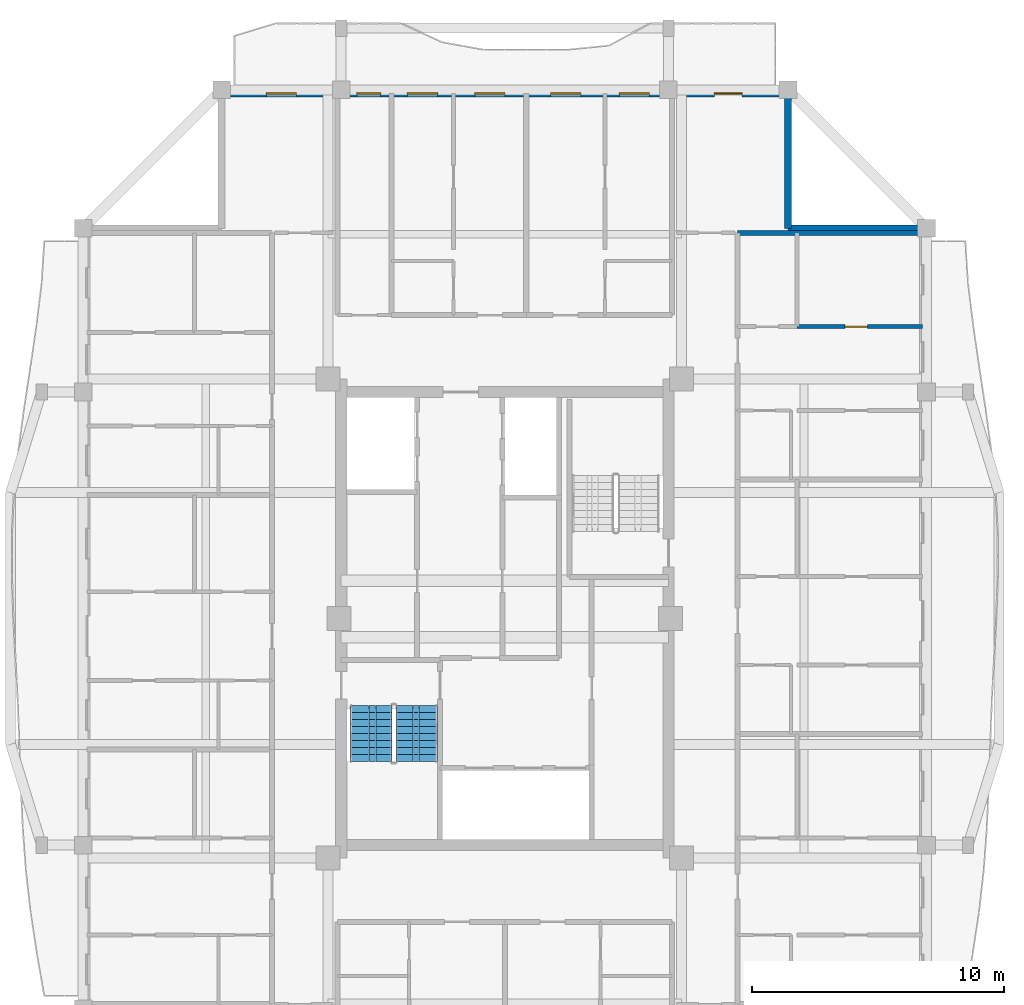
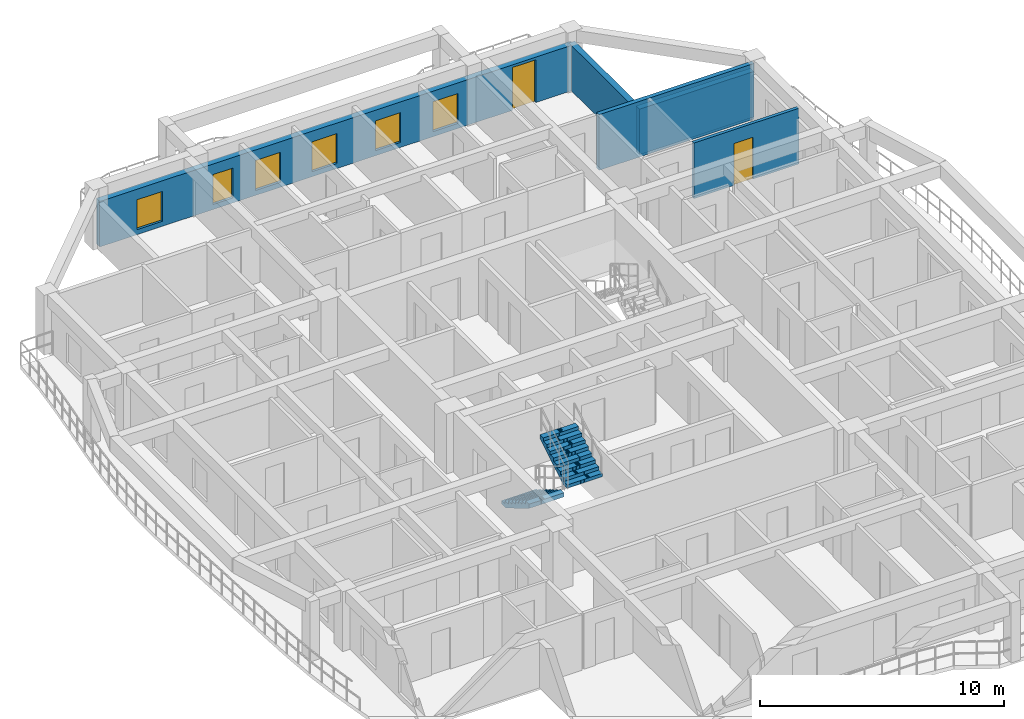
# One storey, part 7 of 13: 6 windows, 5 walls, 2 doors, 2 stair flights, 8 openings, 1 element without a shape of its own.
"""IFC4 building model written with IfcOpenShell, lengths in metres."""

from ifc_helpers import new_model, si_unit, direction, frame, frame_2d, origin, place, context, subcontext, project, spatial, polyline, rectangle, outline, extrude, source, transform, mapped, material, layer, layer_set, type_object, element, fill, aggregate, save


model = new_model("IFC4")

# Units and contexts
model_context = context("Model", 3, precision=1e-05, world=origin(), true_north=direction((0.0, 1.0)))
body_context = subcontext(model_context, "Body", "Model", "MODEL_VIEW")
ifc_project = project(units=[si_unit("LENGTHUNIT", "METRE"), si_unit("AREAUNIT", "SQUARE_METRE"), si_unit("VOLUMEUNIT", "CUBIC_METRE"), si_unit("PLANEANGLEUNIT", "RADIAN"), si_unit("MASSUNIT", "GRAM", prefix="KILO")], contexts=[model_context])

# Site, building, storey
site_placement = place(None, origin())
site = spatial("IfcSite", under=ifc_project, at=site_placement, CompositionType="ELEMENT")
building_placement = place(site_placement, origin())
building = spatial("IfcBuilding", under=site, at=building_placement, Name="Saelheon Loggia Tower", CompositionType="ELEMENT")
storey_placement = place(building_placement, frame((0.0, 0.0, 220.199951171875)))
storey = spatial("IfcBuildingStorey", under=building, at=storey_placement, Name="L68", CompositionType="ELEMENT", Elevation=220.199951171875)

# Wall, openings, windows, door
ifc_material_1 = material(Name="Architectural Precast Concrete C40/50", Category="concrete")
ifc_layer_1 = layer(ifc_material_1, 0.280029296875)
ifc_layer_set_1 = layer_set([ifc_layer_1], Name="Architectural Precast Concrete C40/50")
wall_type_1 = type_object("IfcWallType", Name="Wall_Ext_Loggia_280", PredefinedType="SOLIDWALL", material=ifc_layer_set_1)
wall_1_placement = place(storey_placement, frame((26.75, 47.860107421875, 0.0), z_axis=(0.0, 0.0, 1.0), x_axis=(1.0, 0.0, 0.0)))
wall_1 = element("IfcWall", 1, at=wall_1_placement, inside=storey, type_object=wall_type_1, Name="L68 North Loggia Inner Wall", PredefinedType="SOLIDWALL", context=body_context, shape_type="SweptSolid", body=[
    extrude(rectangle(XDim=22.5, YDim=0.280029296875, at=frame_2d((11.25, 0.0))), origin(), (0.0, 0.0, 1.0), 2.280029296875),
])
opening_1_placement = place(wall_1_placement, frame((1.77490234375, 0.0, 0.25)))
opening_1 = element("IfcOpeningElement", 2, at=opening_1_placement, cuts=wall_1, Name="Opening WN-03", PredefinedType="OPENING", context=body_context, shape_type="SweptSolid", body=[
    extrude(rectangle(XDim=1.199951171875, YDim=1.5, at=frame_2d((0.60009765625, 0.75))), frame((0.0, 0.152099609375, 0.0), z_axis=(0.0, -1.0, 0.0), x_axis=(1.0, 0.0, 0.0)), (0.0, 0.0, 1.0), 0.303955078125),
])
opening_2_placement = place(wall_1_placement, frame((5.3701171875, 0.0, 0.25)))
opening_2 = element("IfcOpeningElement", 3, at=opening_2_placement, cuts=wall_1, Name="Opening WN-04", PredefinedType="OPENING", context=body_context, shape_type="SweptSolid", body=[
    extrude(rectangle(XDim=0.949951171875, YDim=1.5, at=frame_2d((0.47509765625, 0.75))), frame((0.0, 0.152099609375, 0.0), z_axis=(0.0, -1.0, 0.0), x_axis=(1.0, 0.0, 0.0)), (0.0, 0.0, 1.0), 0.303955078125),
])
opening_3_placement = place(wall_1_placement, frame((7.381103515625, 0.0, 0.25)))
opening_3 = element("IfcOpeningElement", 4, at=opening_3_placement, cuts=wall_1, Name="Opening WN-03", PredefinedType="OPENING", context=body_context, shape_type="SweptSolid", body=[
    extrude(rectangle(XDim=1.199951171875, YDim=1.5, at=frame_2d((0.60009765625, 0.75))), frame((0.0, 0.152099609375, 0.0), z_axis=(0.0, -1.0, 0.0), x_axis=(1.0, 0.0, 0.0)), (0.0, 0.0, 1.0), 0.303955078125),
])
opening_4_placement = place(wall_1_placement, frame((10.056884765625, 0.0, 0.25)))
opening_4 = element("IfcOpeningElement", 5, at=opening_4_placement, cuts=wall_1, Name="Opening WN-03", PredefinedType="OPENING", context=body_context, shape_type="SweptSolid", body=[
    extrude(rectangle(XDim=1.199951171875, YDim=1.5, at=frame_2d((0.60009765625, 0.75))), frame((0.0, 0.152099609375, 0.0), z_axis=(0.0, -1.0, 0.0), x_axis=(1.0, 0.0, 0.0)), (0.0, 0.0, 1.0), 0.303955078125),
])
opening_5_placement = place(wall_1_placement, frame((13.0673828125, 0.0, 0.25)))
opening_5 = element("IfcOpeningElement", 6, at=opening_5_placement, cuts=wall_1, Name="Opening WN-03", PredefinedType="OPENING", context=body_context, shape_type="SweptSolid", body=[
    extrude(rectangle(XDim=1.199951171875, YDim=1.5, at=frame_2d((0.60009765625, 0.75))), frame((0.0, 0.152099609375, 0.0), z_axis=(0.0, -1.0, 0.0), x_axis=(1.0, 0.0, 0.0)), (0.0, 0.0, 1.0), 0.303955078125),
])
opening_6_placement = place(wall_1_placement, frame((15.79638671875, 0.0, 0.25)))
opening_6 = element("IfcOpeningElement", 7, at=opening_6_placement, cuts=wall_1, Name="Opening WN-03", PredefinedType="OPENING", context=body_context, shape_type="SweptSolid", body=[
    extrude(rectangle(XDim=1.199951171875, YDim=1.5, at=frame_2d((0.60009765625, 0.75))), frame((0.0, 0.152099609375, 0.0), z_axis=(0.0, -1.0, 0.0), x_axis=(1.0, 0.0, 0.0)), (0.0, 0.0, 1.0), 0.303955078125),
])
opening_7_placement = place(wall_1_placement, frame((19.574951171875, 0.0, 0.0)))
opening_7 = element("IfcOpeningElement", 8, at=opening_7_placement, cuts=wall_1, Name="Opening TD1", PredefinedType="OPENING", context=body_context, shape_type="SweptSolid", body=[
    extrude(rectangle(XDim=1.10009765625, YDim=2.14990234375, at=frame_2d((0.550048828125, 1.074951171875))), frame((0.0, 0.152099609375, 0.0), z_axis=(0.0, -1.0, 0.0), x_axis=(1.0, 0.0, 0.0)), (0.0, 0.0, 1.0), 0.303955078125),
])
ifc_material_2 = material(Name="Thermal-Break Aluminium and Triple Low-E Glass", Category="aluminium")
window_type_1 = type_object("IfcWindowType", Name="Win_Bedroom_1200x1500", PartitioningType="SINGLE_PANEL", PredefinedType="WINDOW", material=ifc_material_2)
shared_shape_1 = source(origin(), body_context, "Body", "SweptSolid", [
    extrude(rectangle(XDim=1.199951171875, YDim=1.5, at=frame_2d((0.60009765625, 0.75))), frame((0.0, 0.030029296875, 0.0), z_axis=(0.0, -1.0, 0.0), x_axis=(1.0, 0.0, 0.0)), (0.0, 0.0, 1.0), 0.06005859375),
])
window_1_placement = place(opening_1_placement, origin())
window_1 = element("IfcWindow", 9, at=window_1_placement, inside=storey, type_object=window_type_1, Name="L68 N Dwelling Window 1", OverallHeight=1.5, OverallWidth=1.199951171875, PartitioningType="SINGLE_PANEL", PredefinedType="WINDOW", context=body_context, shape_type="MappedRepresentation", body=[
    mapped(shared_shape_1, transform((0.0, 0.0, 0.0), scale=1.0)),
])
fill(opening_1, window_1)
window_2_placement = place(opening_3_placement, origin())
window_2 = element("IfcWindow", 10, at=window_2_placement, inside=storey, type_object=window_type_1, Name="L68 N Dwelling Window 3", OverallHeight=1.5, OverallWidth=1.199951171875, PartitioningType="SINGLE_PANEL", PredefinedType="WINDOW", context=body_context, shape_type="MappedRepresentation", body=[
    mapped(shared_shape_1, transform((0.0, 0.0, 0.0), scale=1.0)),
])
fill(opening_3, window_2)
window_3_placement = place(opening_4_placement, origin())
window_3 = element("IfcWindow", 11, at=window_3_placement, inside=storey, type_object=window_type_1, Name="L68 N Dwelling Window 4", OverallHeight=1.5, OverallWidth=1.199951171875, PartitioningType="SINGLE_PANEL", PredefinedType="WINDOW", context=body_context, shape_type="MappedRepresentation", body=[
    mapped(shared_shape_1, transform((0.0, 0.0, 0.0), scale=1.0)),
])
fill(opening_4, window_3)
window_4_placement = place(opening_5_placement, origin())
window_4 = element("IfcWindow", 12, at=window_4_placement, inside=storey, type_object=window_type_1, Name="L68 N Dwelling Window 5", OverallHeight=1.5, OverallWidth=1.199951171875, PartitioningType="SINGLE_PANEL", PredefinedType="WINDOW", context=body_context, shape_type="MappedRepresentation", body=[
    mapped(shared_shape_1, transform((0.0, 0.0, 0.0), scale=1.0)),
])
fill(opening_5, window_4)
window_5_placement = place(opening_6_placement, origin())
window_5 = element("IfcWindow", 13, at=window_5_placement, inside=storey, type_object=window_type_1, Name="L68 N Dwelling Window 6", OverallHeight=1.5, OverallWidth=1.199951171875, PartitioningType="SINGLE_PANEL", PredefinedType="WINDOW", context=body_context, shape_type="MappedRepresentation", body=[
    mapped(shared_shape_1, transform((0.0, 0.0, 0.0), scale=1.0)),
])
fill(opening_6, window_5)
ifc_material_3 = material(Name="Thermal-Break Aluminium Glazed Door", Category="aluminium")
door_type_1 = type_object("IfcDoorType", Name="Door_Terrace_TD1", OperationType="NOTDEFINED", PredefinedType="DOOR", material=ifc_material_3)
shared_shape_2 = source(origin(), body_context, "Body", "SweptSolid", [
    extrude(rectangle(XDim=1.10009765625, YDim=2.14990234375, at=frame_2d((0.550048828125, 1.074951171875))), frame((0.0, 0.02490234375, 0.0), z_axis=(0.0, -1.0, 0.0), x_axis=(1.0, 0.0, 0.0)), (0.0, 0.0, 1.0), 0.050048828125),
])
door_1_placement = place(opening_7_placement, origin())
door_1 = element("IfcDoor", 14, at=door_1_placement, inside=storey, type_object=door_type_1, Name="L68 N Loggia Access Door", OperationType="SINGLE_SWING_LEFT", OverallHeight=2.14990234375, OverallWidth=1.10009765625, PredefinedType="DOOR", context=body_context, shape_type="MappedRepresentation", body=[
    mapped(shared_shape_2, transform((0.0, 0.0, 0.0), scale=1.0)),
])
fill(opening_7, door_1)
window_type_2 = type_object("IfcWindowType", Name="Win_Narrow_950x1500", PartitioningType="SINGLE_PANEL", PredefinedType="WINDOW", material=ifc_material_2)
shared_shape_3 = source(origin(), body_context, "Body", "SweptSolid", [
    extrude(rectangle(XDim=0.949951171875, YDim=1.5, at=frame_2d((0.47509765625, 0.75))), frame((0.0, 0.030029296875, 0.0), z_axis=(0.0, -1.0, 0.0), x_axis=(1.0, 0.0, 0.0)), (0.0, 0.0, 1.0), 0.06005859375),
])
window_6_placement = place(opening_2_placement, origin())
window_6 = element("IfcWindow", 15, at=window_6_placement, inside=storey, type_object=window_type_2, Name="L68 N Dwelling Window 2", OverallHeight=1.5, OverallWidth=0.949951171875, PartitioningType="SINGLE_PANEL", PredefinedType="WINDOW", context=body_context, shape_type="MappedRepresentation", body=[
    mapped(shared_shape_3, transform((0.0, 0.0, 0.0), scale=1.0)),
])
fill(opening_2, window_6)

# Walls
for number, where, z_axis, x_axis, name in (
    (16, (49.25, 42.5, 0.0), (0.0, 0.0, 1.0), (0.0, 1.0, 0.0), "L68 Corner Notch Precast Wall NE1"),
    (17, (49.25, 42.5, 0.0), (0.0, 0.0, 1.0), (1.0, 0.0, 0.0), "L68 Corner Notch Precast Wall NE2"),
):
    element("IfcWall", number, at=place(storey_placement, frame(where, z_axis=z_axis, x_axis=x_axis)), inside=storey, type_object=wall_type_1, Name=name, PredefinedType="SOLIDWALL", context=body_context, shape_type="SweptSolid", body=[
        extrude(rectangle(XDim=5.419921875, YDim=0.280029296875, at=frame_2d((2.7099609375, 0.0))), origin(), (0.0, 0.0, 1.0), 2.280029296875),
    ])

# Wall, opening, door
ifc_material_4 = material(Name="Lightweight Autoclaved Aerated Concrete Block and Acoustic Gypsum", Category="concrete")
ifc_layer_2 = layer(ifc_material_4, 0.14990234375)
ifc_layer_set_2 = layer_set([ifc_layer_2], Name="Lightweight Autoclaved Aerated Concrete Block and Acoustic Gypsum")
wall_type_2 = type_object("IfcWallType", Name="Wall_Part_150", PredefinedType="PARTITIONING", material=ifc_layer_set_2)
wall_2_placement = place(storey_placement, frame((49.610107421875, 38.59423828125, 0.0), z_axis=(0.0, 0.0, 1.0), x_axis=(1.0, 0.0, 0.0)))
wall_2 = element("IfcWall", 18, at=wall_2_placement, inside=storey, type_object=wall_type_2, Name="L68 E Partition U31", PredefinedType="PARTITIONING", context=body_context, shape_type="SweptSolid", body=[
    extrude(rectangle(XDim=4.989990234375, YDim=0.14990234375, at=frame_2d((2.4951171875, 0.0))), origin(), (0.0, 0.0, 1.0), 2.7900390625),
])
opening_8_placement = place(wall_2_placement, frame((1.89453125, 0.0, 0.0)))
opening_8 = element("IfcOpeningElement", 19, at=opening_8_placement, cuts=wall_2, Name="Opening D-IN2", PredefinedType="OPENING", context=body_context, shape_type="SweptSolid", body=[
    extrude(rectangle(XDim=0.89990234375, YDim=2.10009765625, at=frame_2d((0.449951171875, 1.050048828125))), frame((0.0, 0.0869140625, 0.0), z_axis=(0.0, -1.0, 0.0), x_axis=(1.0, 0.0, 0.0)), (0.0, 0.0, 1.0), 0.173828125),
])
ifc_material_5 = material(Name="Engineered Oak Flush Door", Category="timber")
door_type_2 = type_object("IfcDoorType", Name="Door_Int_900", OperationType="NOTDEFINED", PredefinedType="DOOR", material=ifc_material_5)
shared_shape_4 = source(origin(), body_context, "Body", "SweptSolid", [
    extrude(rectangle(XDim=0.89990234375, YDim=2.10009765625, at=frame_2d((0.449951171875, 1.050048828125))), frame((0.0, 0.02490234375, 0.0), z_axis=(0.0, -1.0, 0.0), x_axis=(1.0, 0.0, 0.0)), (0.0, 0.0, 1.0), 0.050048828125),
])
door_2_placement = place(opening_8_placement, origin())
door_2 = element("IfcDoor", 20, at=door_2_placement, inside=storey, type_object=door_type_2, Name="Unit U10 Bedroom 1 Door", OperationType="SINGLE_SWING_RIGHT", OverallHeight=2.10009765625, OverallWidth=0.89990234375, PredefinedType="DOOR", context=body_context, shape_type="MappedRepresentation", body=[
    mapped(shared_shape_4, transform((0.0, 0.0, 0.0), scale=1.0)),
])
fill(opening_8, door_2)

# Wall
ifc_material_6 = material(Name="Double Acoustic Stud and Fireboard Partition", Category="gypsum")
ifc_layer_3 = layer(ifc_material_6, 0.199951171875)
ifc_layer_set_3 = layer_set([ifc_layer_3], Name="Double Acoustic Stud and Fireboard Partition")
wall_type_3 = type_object("IfcWallType", Name="Wall_Party_200", PredefinedType="PARTITIONING", material=ifc_layer_set_3)
wall_3_placement = place(storey_placement, frame((47.25, 42.320068359375, 0.0), z_axis=(0.0, 0.0, 1.0), x_axis=(1.0, 0.0, 0.0)))
element("IfcWall", 21, at=wall_3_placement, inside=storey, type_object=wall_type_3, Name="L68 E Partition U02", PredefinedType="PARTITIONING", context=body_context, shape_type="SweptSolid", body=[
    extrude(rectangle(XDim=7.35009765625, YDim=0.199951171875, at=frame_2d((3.675048828125, 0.0))), origin(), (0.0, 0.0, 1.0), 2.7900390625),
])

# Stair, stair flights
ifc_material_7 = material(Name="Concrete C40/50", Category="concrete")
stair_type = type_object("IfcStairType", Name="Stair_Escape_Core", PredefinedType="HALF_TURN_STAIR", material=ifc_material_7)
stair_placement = place(storey_placement, origin())
stair = element("IfcStair", 22, at=stair_placement, inside=storey, type_object=stair_type, Name="L68 Special Escape Stair ST1", PredefinedType="HALF_TURN_STAIR")
stair_flight_type = type_object("IfcStairFlightType", Name="StairFlight_Tower_1660", PredefinedType="STRAIGHT", material=ifc_material_7)
stair_flight_1_placement = place(storey_placement, frame((32.679931640625, 23.550048828125, 0.0), z_axis=(0.0, 0.0, 1.0), x_axis=(0.0, -1.0, 0.0)))
stair_flight_1 = element("IfcStairFlight", 23, at=stair_flight_1_placement, type_object=stair_flight_type, Name="ST1 flight 1", NumberOfRisers=9, NumberOfTreads=8, PredefinedType="STRAIGHT", RiserHeight=0.166666667, TreadLength=0.28, context=body_context, shape_type="SweptSolid", body=[
    extrude(outline(polyline([(0.0, 0.0), (0.0, 0.166748046875), (0.280029296875, 0.166748046875), (0.280029296875, 0.333251953125), (0.56005859375, 0.333251953125), (0.56005859375, 0.5), (0.840087890625, 0.5), (0.840087890625, 0.666748046875), (1.1201171875, 0.666748046875), (1.1201171875, 0.833251953125), (1.39990234375, 0.833251953125), (1.39990234375, 1.0), (1.679931640625, 1.0), (1.679931640625, 1.166748046875), (1.9599609375, 1.166748046875), (1.9599609375, 1.333251953125), (2.239990234375, 1.333251953125), (2.239990234375, 1.5), (2.239990234375, 1.1240234375), (0.351806640625, 0.0), (0.0, 0.0)])), frame((0.0, -0.2490234375, 0.0), z_axis=(0.0, -1.0, 0.0), x_axis=(1.0, 0.0, 0.0)), (0.0, 0.0, 1.0), 0.5810546875),
    extrude(outline(polyline([(0.0, 0.0), (0.0, 0.166748046875), (0.280029296875, 0.166748046875), (0.280029296875, 0.333251953125), (0.56005859375, 0.333251953125), (0.56005859375, 0.5), (0.840087890625, 0.5), (0.840087890625, 0.666748046875), (1.1201171875, 0.666748046875), (1.1201171875, 0.833251953125), (1.39990234375, 0.833251953125), (1.39990234375, 1.0), (1.679931640625, 1.0), (1.679931640625, 1.166748046875), (1.9599609375, 1.166748046875), (1.9599609375, 1.333251953125), (2.239990234375, 1.333251953125), (2.239990234375, 1.5), (2.239990234375, 1.1240234375), (0.351806640625, 0.0), (0.0, 0.0)])), frame((0.0, -0.194091796875, 0.0), z_axis=(0.0, -1.0, 0.0), x_axis=(1.0, 0.0, 0.0)), (0.0, 0.0, 1.0), 0.0498046875),
    extrude(outline(polyline([(0.0, 0.0), (0.0, 0.166748046875), (0.280029296875, 0.166748046875), (0.280029296875, 0.333251953125), (0.56005859375, 0.333251953125), (0.56005859375, 0.5), (0.840087890625, 0.5), (0.840087890625, 0.666748046875), (1.1201171875, 0.666748046875), (1.1201171875, 0.833251953125), (1.39990234375, 0.833251953125), (1.39990234375, 1.0), (1.679931640625, 1.0), (1.679931640625, 1.166748046875), (1.9599609375, 1.166748046875), (1.9599609375, 1.333251953125), (2.239990234375, 1.333251953125), (2.239990234375, 1.5), (2.239990234375, 1.1240234375), (0.351806640625, 0.0), (0.0, 0.0)])), frame((0.0, -0.139404296875, 0.0), z_axis=(0.0, -1.0, 0.0), x_axis=(1.0, 0.0, 0.0)), (0.0, 0.0, 1.0), 0.0498046875),
    extrude(outline(polyline([(0.0, 0.0), (0.0, 0.166748046875), (0.280029296875, 0.166748046875), (0.280029296875, 0.333251953125), (0.56005859375, 0.333251953125), (0.56005859375, 0.5), (0.840087890625, 0.5), (0.840087890625, 0.666748046875), (1.1201171875, 0.666748046875), (1.1201171875, 0.833251953125), (1.39990234375, 0.833251953125), (1.39990234375, 1.0), (1.679931640625, 1.0), (1.679931640625, 1.166748046875), (1.9599609375, 1.166748046875), (1.9599609375, 1.333251953125), (2.239990234375, 1.333251953125), (2.239990234375, 1.5), (2.239990234375, 1.1240234375), (0.351806640625, 0.0), (0.0, 0.0)])), frame((0.0, -0.084716796875, 0.0), z_axis=(0.0, -1.0, 0.0), x_axis=(1.0, 0.0, 0.0)), (0.0, 0.0, 1.0), 0.0498046875),
    extrude(outline(polyline([(0.0, 0.0), (0.0, 0.166748046875), (0.280029296875, 0.166748046875), (0.280029296875, 0.333251953125), (0.56005859375, 0.333251953125), (0.56005859375, 0.5), (0.840087890625, 0.5), (0.840087890625, 0.666748046875), (1.1201171875, 0.666748046875), (1.1201171875, 0.833251953125), (1.39990234375, 0.833251953125), (1.39990234375, 1.0), (1.679931640625, 1.0), (1.679931640625, 1.166748046875), (1.9599609375, 1.166748046875), (1.9599609375, 1.333251953125), (2.239990234375, 1.333251953125), (2.239990234375, 1.5), (2.239990234375, 1.1240234375), (0.351806640625, 0.0), (0.0, 0.0)])), frame((0.0, -0.02978515625, 0.0), z_axis=(0.0, -1.0, 0.0), x_axis=(1.0, 0.0, 0.0)), (0.0, 0.0, 1.0), 0.0498046875),
    extrude(outline(polyline([(0.0, 0.0), (0.0, 0.166748046875), (0.280029296875, 0.166748046875), (0.280029296875, 0.333251953125), (0.56005859375, 0.333251953125), (0.56005859375, 0.5), (0.840087890625, 0.5), (0.840087890625, 0.666748046875), (1.1201171875, 0.666748046875), (1.1201171875, 0.833251953125), (1.39990234375, 0.833251953125), (1.39990234375, 1.0), (1.679931640625, 1.0), (1.679931640625, 1.166748046875), (1.9599609375, 1.166748046875), (1.9599609375, 1.333251953125), (2.239990234375, 1.333251953125), (2.239990234375, 1.5), (2.239990234375, 1.1240234375), (0.351806640625, 0.0), (0.0, 0.0)])), frame((0.0, 0.02490234375, 0.0), z_axis=(0.0, -1.0, 0.0), x_axis=(1.0, 0.0, 0.0)), (0.0, 0.0, 1.0), 0.0498046875),
    extrude(outline(polyline([(0.0, 0.0), (0.0, 0.166748046875), (0.280029296875, 0.166748046875), (0.280029296875, 0.333251953125), (0.56005859375, 0.333251953125), (0.56005859375, 0.5), (0.840087890625, 0.5), (0.840087890625, 0.666748046875), (1.1201171875, 0.666748046875), (1.1201171875, 0.833251953125), (1.39990234375, 0.833251953125), (1.39990234375, 1.0), (1.679931640625, 1.0), (1.679931640625, 1.166748046875), (1.9599609375, 1.166748046875), (1.9599609375, 1.333251953125), (2.239990234375, 1.333251953125), (2.239990234375, 1.5), (2.239990234375, 1.1240234375), (0.351806640625, 0.0), (0.0, 0.0)])), frame((0.0, 0.07958984375, 0.0), z_axis=(0.0, -1.0, 0.0), x_axis=(1.0, 0.0, 0.0)), (0.0, 0.0, 1.0), 0.0498046875),
    extrude(outline(polyline([(0.0, 0.0), (0.0, 0.166748046875), (0.280029296875, 0.166748046875), (0.280029296875, 0.333251953125), (0.56005859375, 0.333251953125), (0.56005859375, 0.5), (0.840087890625, 0.5), (0.840087890625, 0.666748046875), (1.1201171875, 0.666748046875), (1.1201171875, 0.833251953125), (1.39990234375, 0.833251953125), (1.39990234375, 1.0), (1.679931640625, 1.0), (1.679931640625, 1.166748046875), (1.9599609375, 1.166748046875), (1.9599609375, 1.333251953125), (2.239990234375, 1.333251953125), (2.239990234375, 1.5), (2.239990234375, 1.1240234375), (0.351806640625, 0.0), (0.0, 0.0)])), frame((0.0, 0.134521484375, 0.0), z_axis=(0.0, -1.0, 0.0), x_axis=(1.0, 0.0, 0.0)), (0.0, 0.0, 1.0), 0.0498046875),
    extrude(outline(polyline([(0.0, 0.0), (0.0, 0.166748046875), (0.280029296875, 0.166748046875), (0.280029296875, 0.333251953125), (0.56005859375, 0.333251953125), (0.56005859375, 0.5), (0.840087890625, 0.5), (0.840087890625, 0.666748046875), (1.1201171875, 0.666748046875), (1.1201171875, 0.833251953125), (1.39990234375, 0.833251953125), (1.39990234375, 1.0), (1.679931640625, 1.0), (1.679931640625, 1.166748046875), (1.9599609375, 1.166748046875), (1.9599609375, 1.333251953125), (2.239990234375, 1.333251953125), (2.239990234375, 1.5), (2.239990234375, 1.1240234375), (0.351806640625, 0.0), (0.0, 0.0)])), frame((0.0, 0.189208984375, 0.0), z_axis=(0.0, -1.0, 0.0), x_axis=(1.0, 0.0, 0.0)), (0.0, 0.0, 1.0), 0.0498046875),
    extrude(outline(polyline([(0.0, 0.0), (0.0, 0.166748046875), (0.280029296875, 0.166748046875), (0.280029296875, 0.333251953125), (0.56005859375, 0.333251953125), (0.56005859375, 0.5), (0.840087890625, 0.5), (0.840087890625, 0.666748046875), (1.1201171875, 0.666748046875), (1.1201171875, 0.833251953125), (1.39990234375, 0.833251953125), (1.39990234375, 1.0), (1.679931640625, 1.0), (1.679931640625, 1.166748046875), (1.9599609375, 1.166748046875), (1.9599609375, 1.333251953125), (2.239990234375, 1.333251953125), (2.239990234375, 1.5), (2.239990234375, 1.1240234375), (0.351806640625, 0.0), (0.0, 0.0)])), frame((0.0, 0.243896484375, 0.0), z_axis=(0.0, -1.0, 0.0), x_axis=(1.0, 0.0, 0.0)), (0.0, 0.0, 1.0), 0.0498046875),
    extrude(outline(polyline([(0.0, 0.0), (0.0, 0.166748046875), (0.280029296875, 0.166748046875), (0.280029296875, 0.333251953125), (0.56005859375, 0.333251953125), (0.56005859375, 0.5), (0.840087890625, 0.5), (0.840087890625, 0.666748046875), (1.1201171875, 0.666748046875), (1.1201171875, 0.833251953125), (1.39990234375, 0.833251953125), (1.39990234375, 1.0), (1.679931640625, 1.0), (1.679931640625, 1.166748046875), (1.9599609375, 1.166748046875), (1.9599609375, 1.333251953125), (2.239990234375, 1.333251953125), (2.239990234375, 1.5), (2.239990234375, 1.1240234375), (0.351806640625, 0.0), (0.0, 0.0)])), frame((0.0, 0.830078125, 0.0), z_axis=(0.0, -1.0, 0.0), x_axis=(1.0, 0.0, 0.0)), (0.0, 0.0, 1.0), 0.5810546875),
])
stair_flight_2_placement = place(storey_placement, frame((34.5, 21.31005859375, 1.5), z_axis=(0.0, 0.0, 1.0), x_axis=(0.0, 1.0, 0.0)))
stair_flight_2 = element("IfcStairFlight", 24, at=stair_flight_2_placement, type_object=stair_flight_type, Name="ST1 flight 2", NumberOfRisers=9, NumberOfTreads=8, PredefinedType="STRAIGHT", RiserHeight=0.166666667, TreadLength=0.28, context=body_context, shape_type="SweptSolid", body=[
    extrude(outline(polyline([(0.0, 0.0), (0.0, 0.166748046875), (0.280029296875, 0.166748046875), (0.280029296875, 0.333251953125), (0.56005859375, 0.333251953125), (0.56005859375, 0.5), (0.840087890625, 0.5), (0.840087890625, 0.666748046875), (1.1201171875, 0.666748046875), (1.1201171875, 0.833251953125), (1.39990234375, 0.833251953125), (1.39990234375, 1.0), (1.679931640625, 1.0), (1.679931640625, 1.166748046875), (1.9599609375, 1.166748046875), (1.9599609375, 1.333251953125), (2.239990234375, 1.333251953125), (2.239990234375, 1.5), (2.239990234375, 1.1240234375), (0.351806640625, 0.0), (0.0, 0.0)])), frame((0.0, -0.2490234375, 0.0), z_axis=(0.0, -1.0, 0.0), x_axis=(1.0, 0.0, 0.0)), (0.0, 0.0, 1.0), 0.5810546875),
    extrude(outline(polyline([(0.0, 0.0), (0.0, 0.166748046875), (0.280029296875, 0.166748046875), (0.280029296875, 0.333251953125), (0.56005859375, 0.333251953125), (0.56005859375, 0.5), (0.840087890625, 0.5), (0.840087890625, 0.666748046875), (1.1201171875, 0.666748046875), (1.1201171875, 0.833251953125), (1.39990234375, 0.833251953125), (1.39990234375, 1.0), (1.679931640625, 1.0), (1.679931640625, 1.166748046875), (1.9599609375, 1.166748046875), (1.9599609375, 1.333251953125), (2.239990234375, 1.333251953125), (2.239990234375, 1.5), (2.239990234375, 1.1240234375), (0.351806640625, 0.0), (0.0, 0.0)])), frame((0.0, -0.194091796875, 0.0), z_axis=(0.0, -1.0, 0.0), x_axis=(1.0, 0.0, 0.0)), (0.0, 0.0, 1.0), 0.0498046875),
    extrude(outline(polyline([(0.0, 0.0), (0.0, 0.166748046875), (0.280029296875, 0.166748046875), (0.280029296875, 0.333251953125), (0.56005859375, 0.333251953125), (0.56005859375, 0.5), (0.840087890625, 0.5), (0.840087890625, 0.666748046875), (1.1201171875, 0.666748046875), (1.1201171875, 0.833251953125), (1.39990234375, 0.833251953125), (1.39990234375, 1.0), (1.679931640625, 1.0), (1.679931640625, 1.166748046875), (1.9599609375, 1.166748046875), (1.9599609375, 1.333251953125), (2.239990234375, 1.333251953125), (2.239990234375, 1.5), (2.239990234375, 1.1240234375), (0.351806640625, 0.0), (0.0, 0.0)])), frame((0.0, -0.139404296875, 0.0), z_axis=(0.0, -1.0, 0.0), x_axis=(1.0, 0.0, 0.0)), (0.0, 0.0, 1.0), 0.0498046875),
    extrude(outline(polyline([(0.0, 0.0), (0.0, 0.166748046875), (0.280029296875, 0.166748046875), (0.280029296875, 0.333251953125), (0.56005859375, 0.333251953125), (0.56005859375, 0.5), (0.840087890625, 0.5), (0.840087890625, 0.666748046875), (1.1201171875, 0.666748046875), (1.1201171875, 0.833251953125), (1.39990234375, 0.833251953125), (1.39990234375, 1.0), (1.679931640625, 1.0), (1.679931640625, 1.166748046875), (1.9599609375, 1.166748046875), (1.9599609375, 1.333251953125), (2.239990234375, 1.333251953125), (2.239990234375, 1.5), (2.239990234375, 1.1240234375), (0.351806640625, 0.0), (0.0, 0.0)])), frame((0.0, -0.084716796875, 0.0), z_axis=(0.0, -1.0, 0.0), x_axis=(1.0, 0.0, 0.0)), (0.0, 0.0, 1.0), 0.0498046875),
    extrude(outline(polyline([(0.0, 0.0), (0.0, 0.166748046875), (0.280029296875, 0.166748046875), (0.280029296875, 0.333251953125), (0.56005859375, 0.333251953125), (0.56005859375, 0.5), (0.840087890625, 0.5), (0.840087890625, 0.666748046875), (1.1201171875, 0.666748046875), (1.1201171875, 0.833251953125), (1.39990234375, 0.833251953125), (1.39990234375, 1.0), (1.679931640625, 1.0), (1.679931640625, 1.166748046875), (1.9599609375, 1.166748046875), (1.9599609375, 1.333251953125), (2.239990234375, 1.333251953125), (2.239990234375, 1.5), (2.239990234375, 1.1240234375), (0.351806640625, 0.0), (0.0, 0.0)])), frame((0.0, -0.02978515625, 0.0), z_axis=(0.0, -1.0, 0.0), x_axis=(1.0, 0.0, 0.0)), (0.0, 0.0, 1.0), 0.0498046875),
    extrude(outline(polyline([(0.0, 0.0), (0.0, 0.166748046875), (0.280029296875, 0.166748046875), (0.280029296875, 0.333251953125), (0.56005859375, 0.333251953125), (0.56005859375, 0.5), (0.840087890625, 0.5), (0.840087890625, 0.666748046875), (1.1201171875, 0.666748046875), (1.1201171875, 0.833251953125), (1.39990234375, 0.833251953125), (1.39990234375, 1.0), (1.679931640625, 1.0), (1.679931640625, 1.166748046875), (1.9599609375, 1.166748046875), (1.9599609375, 1.333251953125), (2.239990234375, 1.333251953125), (2.239990234375, 1.5), (2.239990234375, 1.1240234375), (0.351806640625, 0.0), (0.0, 0.0)])), frame((0.0, 0.02490234375, 0.0), z_axis=(0.0, -1.0, 0.0), x_axis=(1.0, 0.0, 0.0)), (0.0, 0.0, 1.0), 0.0498046875),
    extrude(outline(polyline([(0.0, 0.0), (0.0, 0.166748046875), (0.280029296875, 0.166748046875), (0.280029296875, 0.333251953125), (0.56005859375, 0.333251953125), (0.56005859375, 0.5), (0.840087890625, 0.5), (0.840087890625, 0.666748046875), (1.1201171875, 0.666748046875), (1.1201171875, 0.833251953125), (1.39990234375, 0.833251953125), (1.39990234375, 1.0), (1.679931640625, 1.0), (1.679931640625, 1.166748046875), (1.9599609375, 1.166748046875), (1.9599609375, 1.333251953125), (2.239990234375, 1.333251953125), (2.239990234375, 1.5), (2.239990234375, 1.1240234375), (0.351806640625, 0.0), (0.0, 0.0)])), frame((0.0, 0.07958984375, 0.0), z_axis=(0.0, -1.0, 0.0), x_axis=(1.0, 0.0, 0.0)), (0.0, 0.0, 1.0), 0.0498046875),
    extrude(outline(polyline([(0.0, 0.0), (0.0, 0.166748046875), (0.280029296875, 0.166748046875), (0.280029296875, 0.333251953125), (0.56005859375, 0.333251953125), (0.56005859375, 0.5), (0.840087890625, 0.5), (0.840087890625, 0.666748046875), (1.1201171875, 0.666748046875), (1.1201171875, 0.833251953125), (1.39990234375, 0.833251953125), (1.39990234375, 1.0), (1.679931640625, 1.0), (1.679931640625, 1.166748046875), (1.9599609375, 1.166748046875), (1.9599609375, 1.333251953125), (2.239990234375, 1.333251953125), (2.239990234375, 1.5), (2.239990234375, 1.1240234375), (0.351806640625, 0.0), (0.0, 0.0)])), frame((0.0, 0.134521484375, 0.0), z_axis=(0.0, -1.0, 0.0), x_axis=(1.0, 0.0, 0.0)), (0.0, 0.0, 1.0), 0.0498046875),
    extrude(outline(polyline([(0.0, 0.0), (0.0, 0.166748046875), (0.280029296875, 0.166748046875), (0.280029296875, 0.333251953125), (0.56005859375, 0.333251953125), (0.56005859375, 0.5), (0.840087890625, 0.5), (0.840087890625, 0.666748046875), (1.1201171875, 0.666748046875), (1.1201171875, 0.833251953125), (1.39990234375, 0.833251953125), (1.39990234375, 1.0), (1.679931640625, 1.0), (1.679931640625, 1.166748046875), (1.9599609375, 1.166748046875), (1.9599609375, 1.333251953125), (2.239990234375, 1.333251953125), (2.239990234375, 1.5), (2.239990234375, 1.1240234375), (0.351806640625, 0.0), (0.0, 0.0)])), frame((0.0, 0.189208984375, 0.0), z_axis=(0.0, -1.0, 0.0), x_axis=(1.0, 0.0, 0.0)), (0.0, 0.0, 1.0), 0.0498046875),
    extrude(outline(polyline([(0.0, 0.0), (0.0, 0.166748046875), (0.280029296875, 0.166748046875), (0.280029296875, 0.333251953125), (0.56005859375, 0.333251953125), (0.56005859375, 0.5), (0.840087890625, 0.5), (0.840087890625, 0.666748046875), (1.1201171875, 0.666748046875), (1.1201171875, 0.833251953125), (1.39990234375, 0.833251953125), (1.39990234375, 1.0), (1.679931640625, 1.0), (1.679931640625, 1.166748046875), (1.9599609375, 1.166748046875), (1.9599609375, 1.333251953125), (2.239990234375, 1.333251953125), (2.239990234375, 1.5), (2.239990234375, 1.1240234375), (0.351806640625, 0.0), (0.0, 0.0)])), frame((0.0, 0.243896484375, 0.0), z_axis=(0.0, -1.0, 0.0), x_axis=(1.0, 0.0, 0.0)), (0.0, 0.0, 1.0), 0.0498046875),
    extrude(outline(polyline([(0.0, 0.0), (0.0, 0.166748046875), (0.280029296875, 0.166748046875), (0.280029296875, 0.333251953125), (0.56005859375, 0.333251953125), (0.56005859375, 0.5), (0.840087890625, 0.5), (0.840087890625, 0.666748046875), (1.1201171875, 0.666748046875), (1.1201171875, 0.833251953125), (1.39990234375, 0.833251953125), (1.39990234375, 1.0), (1.679931640625, 1.0), (1.679931640625, 1.166748046875), (1.9599609375, 1.166748046875), (1.9599609375, 1.333251953125), (2.239990234375, 1.333251953125), (2.239990234375, 1.5), (2.239990234375, 1.1240234375), (0.351806640625, 0.0), (0.0, 0.0)])), frame((0.0, 0.830078125, 0.0), z_axis=(0.0, -1.0, 0.0), x_axis=(1.0, 0.0, 0.0)), (0.0, 0.0, 1.0), 0.5810546875),
])
aggregate(stair, [stair_flight_1, stair_flight_2])

save(model, "model.ifc")
